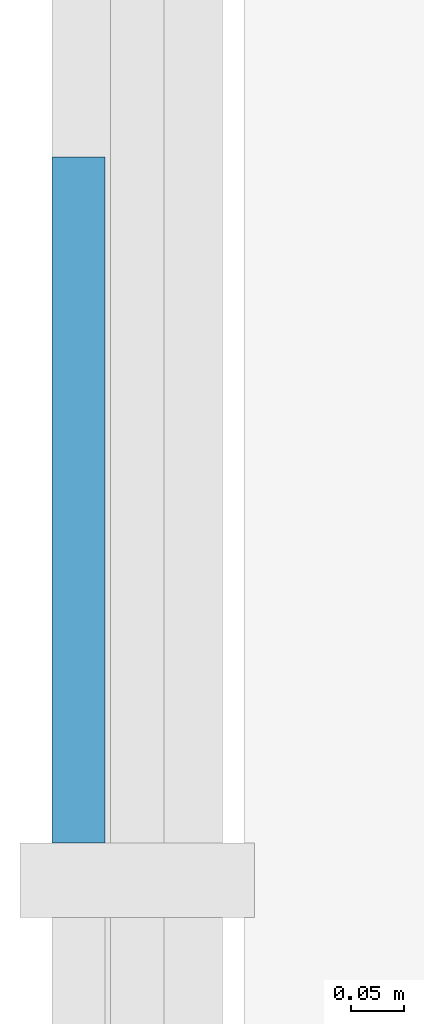
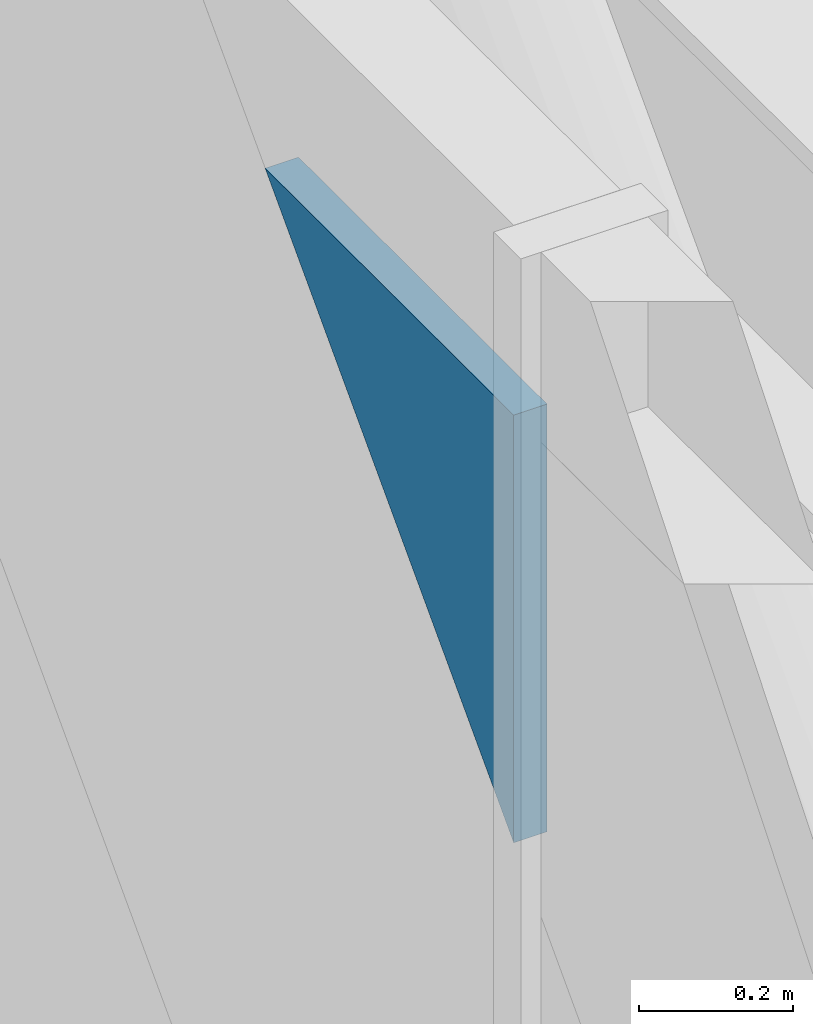
# One storey, part 10 of 17: 1 plate, 1 element without a shape of its own.
"""IFC4 building model written with IfcOpenShell, lengths in metres."""

import ifcopenshell
import ifcopenshell.guid

model = None  # the IFC model being written
_history = None  # IfcOwnerHistory: only IFC2X3 demands one
_inside = {}  # id of a spatial element -> (the spatial element, [elements in it])
_under = {}  # id of a project, library or spatial element -> (it, [spatial elements below it])
_declared = {}  # id of a project -> (the project, [libraries it declares])
_typed = {}  # id of a type object -> (the type object, [elements of that type])
_made_of = {}  # id of a material, layer set ... -> (it, [elements and type objects made of it])


def new_model(schema):
    """Start an empty IFC model of exactly this schema.

    Asked for "IFC4X3", IfcOpenShell would pick the latest addendum, in which some entities
    have other attributes; the version numbers below select the first issue.
    IFC2X3 requires an IfcOwnerHistory on every rooted entity: one is made here for all.
    """
    global model, _history
    if schema == "IFC4X3":
        model = ifcopenshell.file(schema_version=(4, 3, 0, 0))
    else:
        model = ifcopenshell.file(schema=schema)
    _inside.clear()
    _under.clear()
    _declared.clear()
    _typed.clear()
    _made_of.clear()
    _history = None
    if model.schema == "IFC2X3":
        org = make("IfcOrganization", Name="unknown")
        user = make(
            "IfcPersonAndOrganization",
            ThePerson=make("IfcPerson", FamilyName="unknown"),
            TheOrganization=org,
        )
        app = make(
            "IfcApplication",
            ApplicationDeveloper=org,
            Version="unknown",
            ApplicationFullName="unknown",
            ApplicationIdentifier="unknown",
        )
        _history = make(
            "IfcOwnerHistory",
            OwningUser=user,
            OwningApplication=app,
            ChangeAction="ADDED",
            CreationDate=0,
        )
    return model


def make(cls, **values):
    """One entity of the class cls with the attributes given. An attribute that is None is left unset."""
    return model.create_entity(
        cls, **{name: value for name, value in values.items() if value is not None}
    )


def rooted(cls, **values):
    """An entity with a GlobalId (a new one), such as an element, a storey or a relation."""
    return make(cls, GlobalId=ifcopenshell.guid.new(), OwnerHistory=_history, **values)


def si_unit(unit_type, name, prefix=None):
    """IfcSIUnit, for example si_unit("LENGTHUNIT", "METRE", prefix="MILLI")."""
    return make("IfcSIUnit", UnitType=unit_type, Prefix=prefix, Name=name)


def assignment(units):
    """IfcUnitAssignment: the units of a project."""
    return None if units is None else make("IfcUnitAssignment", Units=units)


def point(xyz):
    """IfcCartesianPoint."""
    return None if xyz is None else make("IfcCartesianPoint", Coordinates=xyz)


def direction(xyz):
    """IfcDirection."""
    return None if xyz is None else make("IfcDirection", DirectionRatios=xyz)


def frame(location, z_axis=None, x_axis=None):
    """IfcAxis2Placement3D, a coordinate frame: its origin and axes. An axis left out is left unset."""
    return make(
        "IfcAxis2Placement3D",
        Location=point(location),
        Axis=direction(z_axis),
        RefDirection=direction(x_axis),
    )


def origin():
    """The frame at (0, 0, 0) with its axes left unset."""
    return frame((0.0, 0.0, 0.0))


def place(relative_to, where):
    """IfcLocalPlacement: puts the frame where relative to a parent placement (None: the world)."""
    return make(
        "IfcLocalPlacement", PlacementRelTo=relative_to, RelativePlacement=where
    )


def context(
    kind, dimensions, precision=None, world=None, true_north=None, identifier=None
):
    """IfcGeometricRepresentationContext, for example the 3D "Model" context."""
    return make(
        "IfcGeometricRepresentationContext",
        ContextIdentifier=identifier,
        ContextType=kind,
        CoordinateSpaceDimension=dimensions,
        Precision=precision,
        WorldCoordinateSystem=world,
        TrueNorth=true_north,
    )


def subcontext(parent, identifier, kind, view, scale=None):
    """IfcGeometricRepresentationSubContext, for example "Body" below "Model"."""
    return make(
        "IfcGeometricRepresentationSubContext",
        ContextIdentifier=identifier,
        ContextType=kind,
        ParentContext=parent,
        TargetScale=scale,
        TargetView=view,
    )


def project(units=None, contexts=None):
    """IfcProject with its units and contexts."""
    return rooted(
        "IfcProject",
        Name="project",
        RepresentationContexts=contexts,
        UnitsInContext=assignment(units),
    )


def spatial(cls, under=None, at=None, **own):
    """A site, building, storey or space (cls), placed at a placement, below another one or the project."""
    s = rooted(cls, ObjectPlacement=at, **own)
    if under is not None:
        _under.setdefault(under.id(), (under, []))[1].append(s)
    return s


def polyline(points):
    """IfcPolyline through the points."""
    return make("IfcPolyline", Points=[point(p) for p in points])


def outline(outer, holes=None, kind="AREA"):
    """IfcArbitraryClosedProfileDef: a profile drawn as a closed curve; with holes, ...WithVoids."""
    if holes is None:
        return make("IfcArbitraryClosedProfileDef", ProfileType=kind, OuterCurve=outer)
    return make(
        "IfcArbitraryProfileDefWithVoids",
        ProfileType=kind,
        OuterCurve=outer,
        InnerCurves=holes,
    )


def extrude(swept, where, along, depth):
    """IfcExtrudedAreaSolid: the profile swept, set in the frame where, extruded along a direction by depth."""
    return make(
        "IfcExtrudedAreaSolid",
        SweptArea=swept,
        Position=where,
        ExtrudedDirection=direction(along),
        Depth=depth,
    )


def shape(context_of_items, identifier, shape_type, items):
    """IfcShapeRepresentation: the items that make up one representation, for example the "Body"."""
    return make(
        "IfcShapeRepresentation",
        ContextOfItems=context_of_items,
        RepresentationIdentifier=identifier,
        RepresentationType=shape_type,
        Items=items,
    )


def material(Name=None, Category=None):
    """IfcMaterial."""
    return make("IfcMaterial", Name=Name, Category=Category)


def layer(
    of_material, thickness, ventilated=None, Name=None, Category=None, Priority=None
):
    """IfcMaterialLayer: one layer of a wall or slab, of a material (None: an air gap)."""
    return make(
        "IfcMaterialLayer",
        Material=of_material,
        LayerThickness=thickness,
        IsVentilated=ventilated,
        Name=Name,
        Category=Category,
        Priority=Priority,
    )


def layer_set(layers, Name=None):
    """IfcMaterialLayerSet."""
    return make("IfcMaterialLayerSet", MaterialLayers=layers, LayerSetName=Name)


def made_of(thing, what):
    """Note that an element or type object is made of a material, layer set ...; save() writes the relation."""
    if what is not None:
        _made_of.setdefault(what.id(), (what, []))[1].append(thing)
    return thing


def type_object(cls, material=None, **own):
    """A type object (cls), such as IfcWallType, which elements share."""
    return made_of(rooted(cls, **own), material)


def element(
    cls,
    number,
    at=None,
    inside=None,
    cuts=None,
    type_object=None,
    material=None,
    context=None,
    identifier="Body",
    shape_type=None,
    held_by="IfcProductDefinitionShape",
    body=None,
    shapes=None,
    **own,
):
    """One element of the class cls, such as IfcWall. Its Tag is "e" and its number.

    at: its placement. inside: the storey or other place that contains it. cuts: it is an
    opening in that element (IfcRelVoidsElement). A single representation is given by context,
    identifier, shape_type and body (its items); several are given by shapes. held_by: the class
    of the entity that holds the representations. save() writes the other relations.
    """
    e = rooted(cls, Tag="e%d" % number, ObjectPlacement=at, **own)
    if body is not None:
        shapes = [shape(context, identifier, shape_type, body)]
    if shapes is not None:
        e.Representation = make(held_by, Representations=shapes)
    if inside is not None:
        _inside.setdefault(inside.id(), (inside, []))[1].append(e)
    if cuts is not None:
        rooted(
            "IfcRelVoidsElement", RelatingBuildingElement=cuts, RelatedOpeningElement=e
        )
    if type_object is not None:
        _typed.setdefault(type_object.id(), (type_object, []))[1].append(e)
    return made_of(e, material)


def aggregate(whole, parts):
    """IfcRelAggregates: a whole, such as a stair, and the parts it consists of."""
    return rooted("IfcRelAggregates", RelatingObject=whole, RelatedObjects=parts)


def save(model, path):
    """Write the relations noted so far, then the file.

    IfcRelAggregates (storeys below a building ...), IfcRelContainedInSpatialStructure (elements
    in a storey), IfcRelDefinesByType, IfcRelAssociatesMaterial and IfcRelDeclares: one each for
    every whole, place, type object, material and project.
    """
    for whole, parts in _under.values():
        aggregate(whole, parts)
    for where, things in _inside.values():
        rooted(
            "IfcRelContainedInSpatialStructure",
            RelatedElements=things,
            RelatingStructure=where,
        )
    for kind, things in _typed.values():
        rooted("IfcRelDefinesByType", RelatedObjects=things, RelatingType=kind)
    for what, things in _made_of.values():
        rooted("IfcRelAssociatesMaterial", RelatedObjects=things, RelatingMaterial=what)
    for by, libraries in _declared.values():
        rooted("IfcRelDeclares", RelatingContext=by, RelatedDefinitions=libraries)
    model.write(path)


model = new_model("IFC4")

# Units and contexts
model_context = context("Model", 3, precision=1e-05, world=origin(), true_north=direction((0.0, 1.0)))
body_context = subcontext(model_context, "Body", "Model", "MODEL_VIEW")
ifc_project = project(units=[si_unit("LENGTHUNIT", "METRE"), si_unit("AREAUNIT", "SQUARE_METRE"), si_unit("VOLUMEUNIT", "CUBIC_METRE"), si_unit("PLANEANGLEUNIT", "RADIAN"), si_unit("MASSUNIT", "GRAM", prefix="KILO")], contexts=[model_context])

# Site, building, storey
site_placement = place(None, origin())
site = spatial("IfcSite", under=ifc_project, at=site_placement, CompositionType="ELEMENT")
building_placement = place(site_placement, origin())
building = spatial("IfcBuilding", under=site, at=building_placement, Name="Rheinbord Bourse Tower", CompositionType="ELEMENT")
storey_placement = place(building_placement, frame((0.0, 0.0, 227.800048828125)))
storey = spatial("IfcBuildingStorey", under=building, at=storey_placement, Name="L51", CompositionType="ELEMENT", Elevation=227.800048828125)

# Curtain wall, plate
ifc_material_1 = material(Name="Dark glass and black aluminium", Category="aluminium")
curtain_wall_type = type_object("IfcCurtainWallType", Name="CW2 DARK GLASS CURTAIN WALL", PredefinedType="USERDEFINED", material=ifc_material_1)
curtain_wall_placement = place(storey_placement, origin())
curtain_wall = element("IfcCurtainWall", 1, at=curtain_wall_placement, inside=storey, type_object=curtain_wall_type, Name="Curtain wall CW2 W L51", ObjectType="UNITISED CURTAIN WALL", PredefinedType="USERDEFINED")
ifc_material_2 = material(Name="Dark tinted triple insulating glass", Category="glass")
ifc_layer = layer(ifc_material_2, 0.050048828125)
ifc_layer_set = layer_set([ifc_layer], Name="CW2 DARK GLASS PANEL")
plate_type = type_object("IfcPlateType", Name="CW2 DARK GLASS PANEL", PredefinedType="CURTAIN_PANEL", material=ifc_layer_set)
plate_placement = place(storey_placement, frame((-0.68017578125, 14.235107421875, 3.89990234375), z_axis=(1.0, 0.0, 0.0), x_axis=(0.0, 0.0, -1.0)))
plate = element("IfcPlate", 2, at=plate_placement, type_object=plate_type, Name="CW2 glass facet 2", PredefinedType="CURTAIN_PANEL", context=body_context, shape_type="SweptSolid", body=[
    extrude(outline(polyline([(0.0, 0.0), (0.676025390625, 0.0), (0.0, 0.643798828125), (0.0, 0.0)])), origin(), (0.0, 0.0, 1.0), 0.050048828125),
])
aggregate(curtain_wall, [plate])

save(model, "model.ifc")
